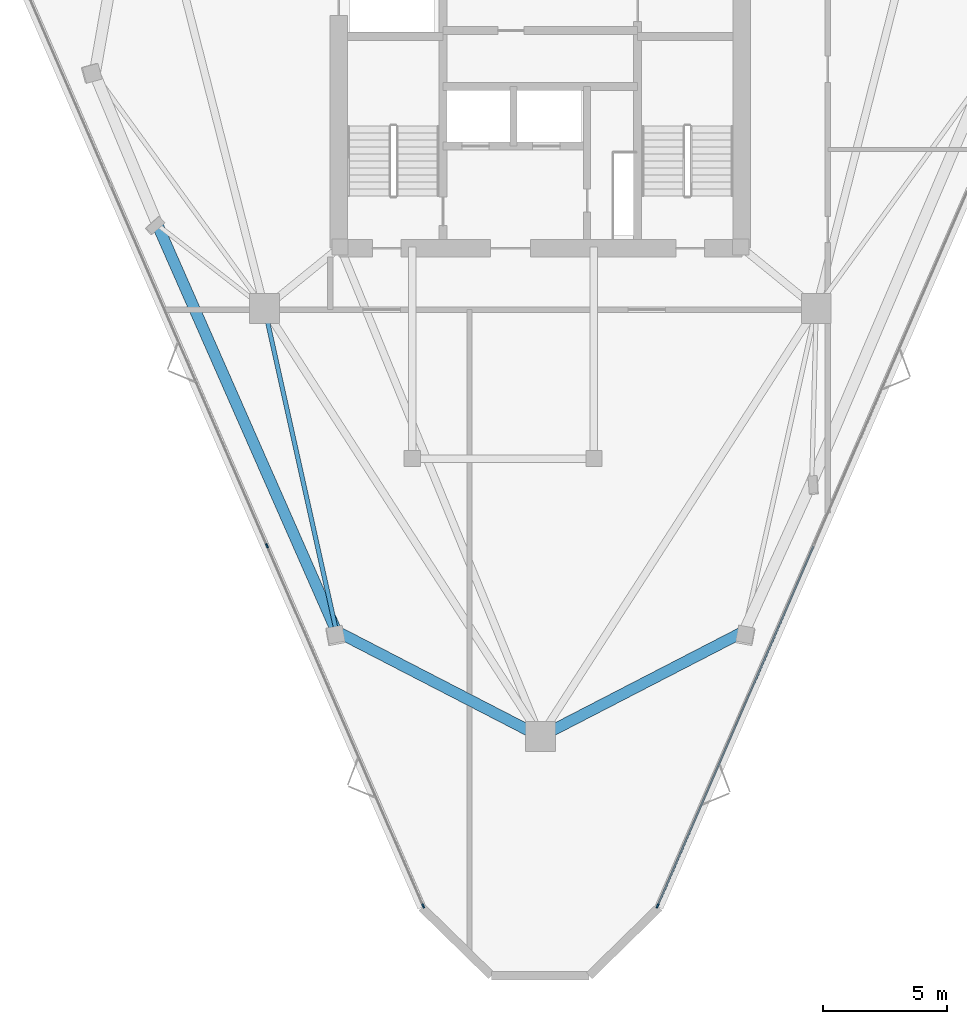
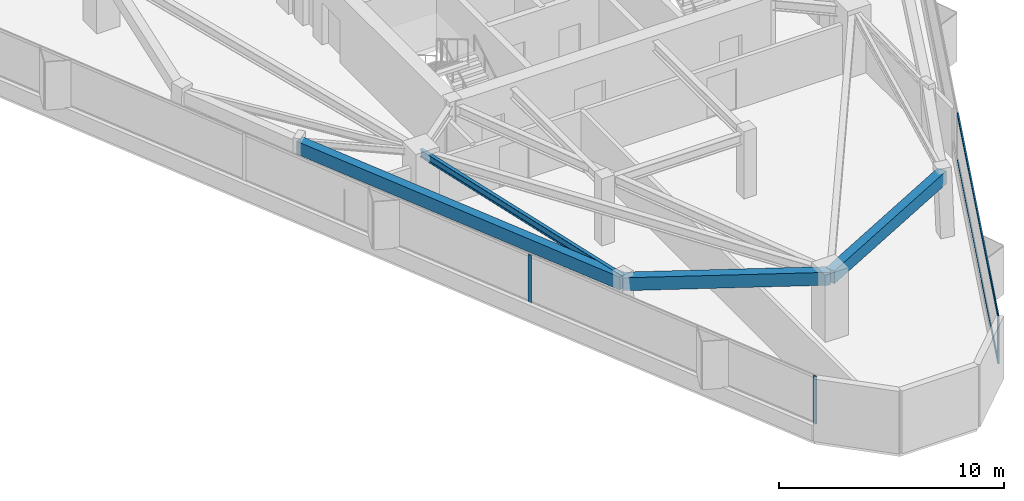
# One storey, part 2 of 11: 5 members, 4 beams, 2 elements without a shape of their own.
"""IFC4 building model written with IfcOpenShell, lengths in metres."""

from ifc_helpers import new_model, si_unit, direction, frame, origin, origin_2d, place, context, subcontext, project, spatial, rectangle, i_section, extrude, material, layer, layer_set, material_profile, profile_set, type_object, element, aggregate, save


model = new_model("IFC4")

# Units and contexts
model_context = context("Model", 3, precision=1e-05, world=origin(), true_north=direction((0.0, 1.0)))
body_context = subcontext(model_context, "Body", "Model", "MODEL_VIEW")
ifc_project = project(units=[si_unit("LENGTHUNIT", "METRE"), si_unit("AREAUNIT", "SQUARE_METRE"), si_unit("VOLUMEUNIT", "CUBIC_METRE"), si_unit("PLANEANGLEUNIT", "RADIAN"), si_unit("MASSUNIT", "GRAM", prefix="KILO")], contexts=[model_context])

# Site, building, storey
site_placement = place(None, origin())
site = spatial("IfcSite", under=ifc_project, at=site_placement, CompositionType="ELEMENT")
building_placement = place(site_placement, origin())
building = spatial("IfcBuilding", under=site, at=building_placement, Name="Talyreon Biosciences Tower", CompositionType="ELEMENT")
storey_placement = place(building_placement, frame((0.0, 0.0, 238.89990234375)))
storey = spatial("IfcBuildingStorey", under=building, at=storey_placement, Name="L63", CompositionType="ELEMENT", Elevation=238.89990234375)

# Curtain wall, members
ifc_material_1 = material(Name="Thermally broken aluminium and low-E glazing", Category="aluminium")
ifc_layer = layer(ifc_material_1, 0.175048828125)
ifc_layer_set = layer_set([ifc_layer], Name="Thermally broken aluminium and low-E glazing")
curtain_wall_type = type_object("IfcCurtainWallType", Name="CurtainWall_Zone5CompLab", PredefinedType="NOTDEFINED", material=ifc_layer_set)
curtain_wall_1_placement = place(storey_placement, origin())
curtain_wall_1 = element("IfcCurtainWall", 1, at=curtain_wall_1_placement, inside=storey, type_object=curtain_wall_type, Name="L63 Unitised Curtain Wall FCW-L63-00", PredefinedType="NOTDEFINED")
ifc_material_2 = material(Name="Anodised thermally broken aluminium", Category="aluminium")
ifc_material_profile_1 = material_profile(ifc_material_2, rectangle(XDim=0.06494140625, YDim=0.179931640625, at=origin_2d()), Name="ALUM MULLION 65x180")
ifc_profile_set_1 = profile_set([ifc_material_profile_1], Name="Anodised thermally broken aluminium")
member_type_1 = type_object("IfcMemberType", Name="CWMullion_65x180", PredefinedType="MULLION", material=ifc_profile_set_1)
member_1_placement = place(storey_placement, frame((61.28955078125, 34.862548828125, 0.81005859375), z_axis=(0.0, 0.0, 1.0), x_axis=(-0.917458244079, -0.397832088162, 0.0)))
member_1 = element("IfcMember", 2, at=member_1_placement, type_object=member_type_1, Name="CW6 mullion 1", PredefinedType="MULLION", context=body_context, shape_type="SweptSolid", body=[
    extrude(rectangle(XDim=0.06494140625, YDim=0.179931640625, at=origin_2d()), origin(), (0.0, 0.0, 1.0), 2.590087890625),
])
member_2_placement = place(storey_placement, frame((55.012939453125, 49.337646484375, 0.81005859375), z_axis=(0.0, 0.0, 1.0), x_axis=(-0.917458244079, -0.397832088162, 0.0)))
member_2 = element("IfcMember", 3, at=member_2_placement, type_object=member_type_1, Name="CW6 mullion 2", PredefinedType="MULLION", context=body_context, shape_type="SweptSolid", body=[
    extrude(rectangle(XDim=0.06494140625, YDim=0.179931640625, at=origin_2d()), origin(), (0.0, 0.0, 1.0), 2.590087890625),
])
aggregate(curtain_wall_1, [member_1, member_2])

curtain_wall_2_placement = place(storey_placement, origin())
curtain_wall_2 = element("IfcCurtainWall", 4, at=curtain_wall_2_placement, inside=storey, type_object=curtain_wall_type, Name="L63 Unitised Curtain Wall FCW-L63-08", PredefinedType="NOTDEFINED")
member_3_placement = place(storey_placement, frame((70.71044921875, 34.862548828125, 0.81005859375), z_axis=(0.0, 0.0, 1.0), x_axis=(0.917458244079, -0.397832088162, 0.0)))
member_3 = element("IfcMember", 5, at=member_3_placement, type_object=member_type_1, Name="CW6 mullion 4", PredefinedType="MULLION", context=body_context, shape_type="SweptSolid", body=[
    extrude(rectangle(XDim=0.06494140625, YDim=0.179931640625, at=origin_2d()), origin(), (0.0, 0.0, 1.0), 2.590087890625),
])
ifc_material_profile_2 = material_profile(ifc_material_2, rectangle(XDim=0.06494140625, YDim=0.139892578125, at=origin_2d()), Name="ALUM TRANSOM 65x140")
ifc_profile_set_2 = profile_set([ifc_material_profile_2], Name="Anodised thermally broken aluminium")
member_type_2 = type_object("IfcMemberType", Name="CWTransom_65x140", PredefinedType="USERDEFINED", material=ifc_profile_set_2)
member_4_placement = place(storey_placement, frame((76.97412109375, 49.307861328125, 0.842529296875), z_axis=(-0.397835044798, -0.917456962004, 0.0), x_axis=(0.917456962004, -0.397835044798, 0.0)))
member_4 = element("IfcMember", 6, at=member_4_placement, type_object=member_type_2, Name="CW6 transom 3.1", ObjectType="TRANSOM", PredefinedType="USERDEFINED", context=body_context, shape_type="SweptSolid", body=[
    extrude(rectangle(XDim=0.06494140625, YDim=0.139892578125, at=origin_2d()), origin(), (0.0, 0.0, 1.0), 15.71240234375),
])
member_5_placement = place(storey_placement, frame((76.97412109375, 49.307861328125, 3.36767578125), z_axis=(-0.397835044798, -0.917456962004, 0.0), x_axis=(0.917456962004, -0.397835044798, 0.0)))
member_5 = element("IfcMember", 7, at=member_5_placement, type_object=member_type_2, Name="CW6 transom 3.2", ObjectType="TRANSOM", PredefinedType="USERDEFINED", context=body_context, shape_type="SweptSolid", body=[
    extrude(rectangle(XDim=0.06494140625, YDim=0.139892578125, at=origin_2d()), origin(), (0.0, 0.0, 1.0), 15.71240234375),
])
aggregate(curtain_wall_2, [member_3, member_4, member_5])

# Beams
ifc_material_3 = material(Name="Precast concrete C45/55", Category="concrete")
ifc_material_profile_3 = material_profile(ifc_material_3, rectangle(XDim=0.449951171875, YDim=0.699951171875, at=origin_2d()), Name="RCB 450x700")
ifc_profile_set_3 = profile_set([ifc_material_profile_3], Name="Precast concrete C45/55")
beam_type_1 = type_object("IfcBeamType", Name="ExpressedSpandrel_450x700", PredefinedType="SPANDREL", material=ifc_profile_set_3)
beam_1_placement = place(storey_placement, frame((66.0, 41.6669921875, 3.050048828125), z_axis=(0.888530899392, 0.458816783506, 0.0), x_axis=(-0.458816783506, 0.888530899392, 0.0)))
element("IfcBeam", 8, at=beam_1_placement, inside=storey, type_object=beam_type_1, Name="L63 Expressed Horizontal Concrete Spandrel 01", PredefinedType="SPANDREL", context=body_context, shape_type="SweptSolid", body=[
    extrude(rectangle(XDim=0.449951171875, YDim=0.699951171875, at=origin_2d()), origin(), (0.0, 0.0, 1.0), 9.227783203125),
])
beam_2_placement = place(storey_placement, frame((50.6103515625, 62.236572265625, 3.050048828125), z_axis=(0.402866504801, -0.915258749922, 0.0), x_axis=(0.915258749922, 0.402866504801, 0.0)))
element("IfcBeam", 9, at=beam_2_placement, inside=storey, type_object=beam_type_1, Name="L63 Expressed Horizontal Concrete Spandrel 11", PredefinedType="SPANDREL", context=body_context, shape_type="SweptSolid", body=[
    extrude(rectangle(XDim=0.449951171875, YDim=0.699951171875, at=origin_2d()), origin(), (0.0, 0.0, 1.0), 17.84814453125),
])
beam_3_placement = place(storey_placement, frame((57.80078125, 45.90087890625, 3.050048828125), z_axis=(0.888530899392, -0.458816783506, 0.0), x_axis=(0.458816783506, 0.888530899392, 0.0)))
element("IfcBeam", 10, at=beam_3_placement, inside=storey, type_object=beam_type_1, Name="L63 Expressed Horizontal Concrete Spandrel 12", PredefinedType="SPANDREL", context=body_context, shape_type="SweptSolid", body=[
    extrude(rectangle(XDim=0.449951171875, YDim=0.699951171875, at=origin_2d()), origin(), (0.0, 0.0, 1.0), 9.227783203125),
])
ifc_material_4 = material(Name="Steel SM355", Category="steel")
ifc_material_profile_4 = material_profile(ifc_material_4, i_section(OverallWidth=0.179931640625, OverallDepth=0.39990234375, WebThickness=0.008544921875, FlangeThickness=0.013427734375, FilletRadius=0.02099609375, at=origin_2d()), Name="IPE400")
ifc_profile_set_4 = profile_set([ifc_material_profile_4], Name="Steel SM355")
beam_type_2 = type_object("IfcBeamType", Name="SteelJoist_IPE400", PredefinedType="JOIST", material=ifc_profile_set_4)
beam_4_placement = place(storey_placement, frame((54.913818359375, 58.88037109375, 3.2001953125), z_axis=(0.217119032222, -0.976145135647, 0.0), x_axis=(0.976145135647, 0.217119032222, 0.0)))
element("IfcBeam", 11, at=beam_4_placement, inside=storey, type_object=beam_type_2, Name="L63 Radial Composite Floor Joist PC-SW2", PredefinedType="JOIST", context=body_context, shape_type="SweptSolid", body=[
    extrude(i_section(OverallWidth=0.179931640625, OverallDepth=0.39990234375, WebThickness=0.008544921875, FlangeThickness=0.013427734375, FilletRadius=0.02099609375, at=origin_2d()), origin(), (0.0, 0.0, 1.0), 13.296630859375),
])

save(model, "model.ifc")
